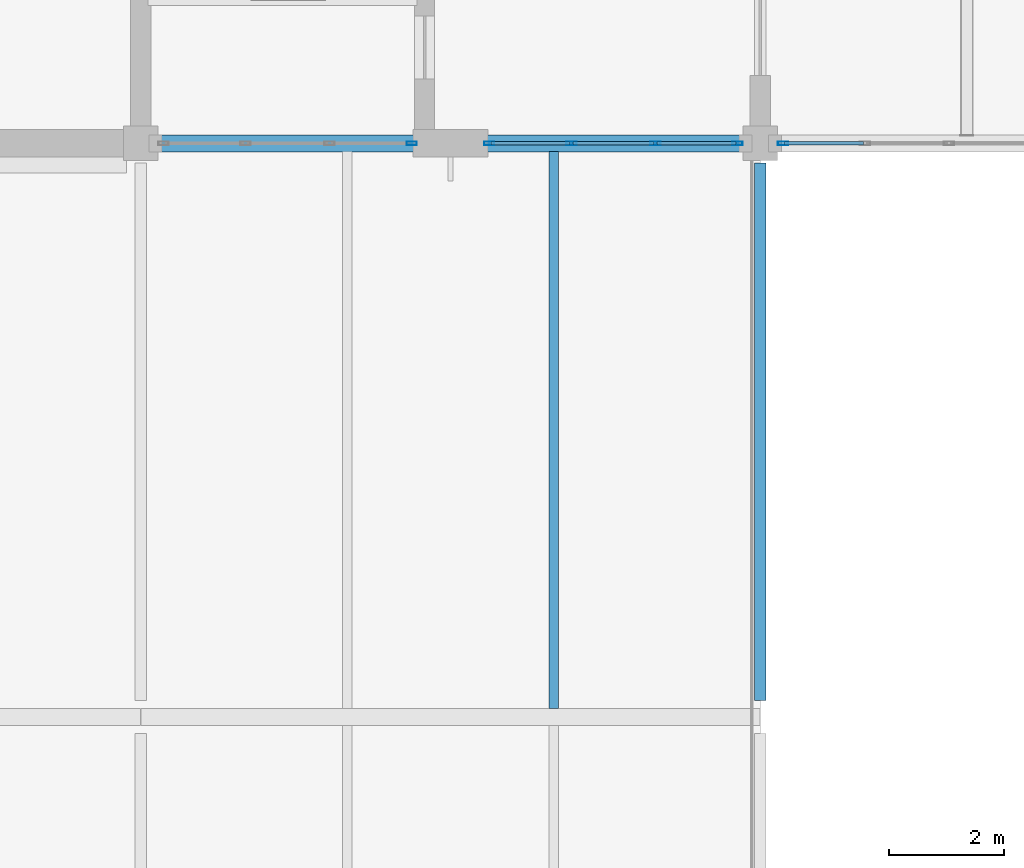
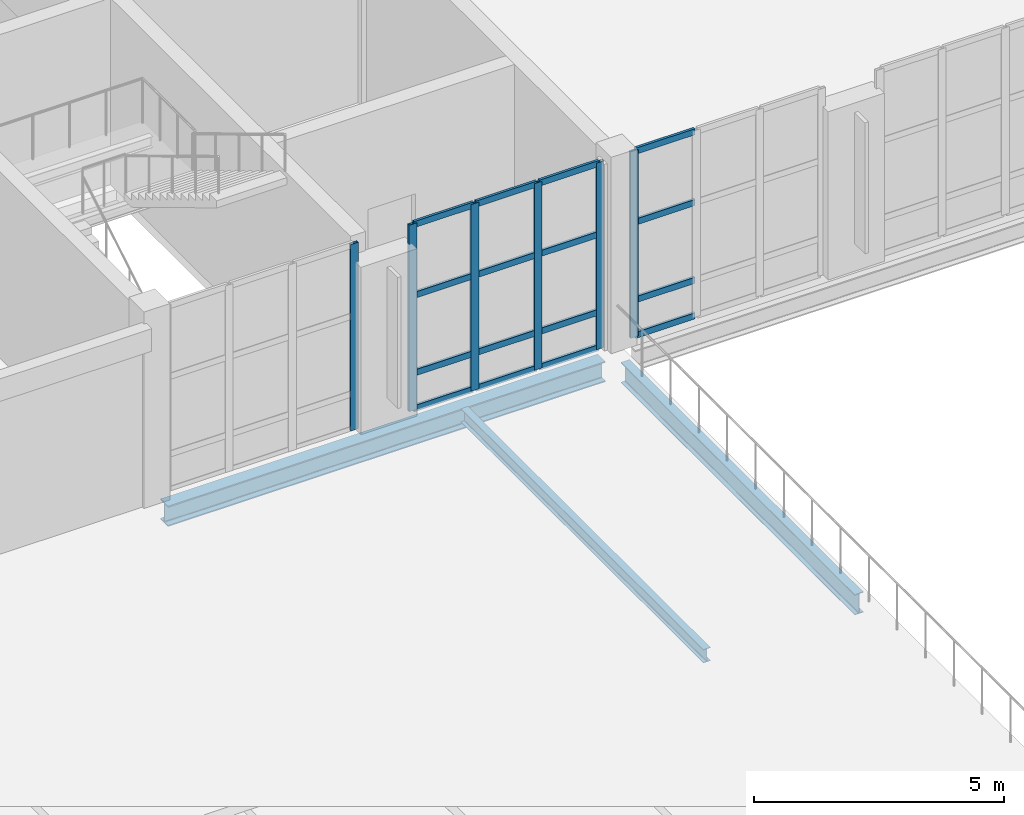
# One storey, part 22 of 100: 22 members, 3 beams, 3 elements without a shape of their own.
"""IFC4 building model written with IfcOpenShell, lengths in metres."""

from ifc_helpers import new_model, si_unit, direction, frame, origin, origin_2d, place, context, subcontext, project, spatial, hollow_rectangle, i_section, extrude, material, layer, layer_set, material_profile, profile_set, type_object, element, aggregate, save


model = new_model("IFC4")

# Units and contexts
model_context = context("Model", 3, precision=1e-05, world=origin(), true_north=direction((0.0, 1.0)))
body_context = subcontext(model_context, "Body", "Model", "MODEL_VIEW")
ifc_project = project(units=[si_unit("LENGTHUNIT", "METRE"), si_unit("AREAUNIT", "SQUARE_METRE"), si_unit("VOLUMEUNIT", "CUBIC_METRE"), si_unit("PLANEANGLEUNIT", "RADIAN"), si_unit("MASSUNIT", "GRAM", prefix="KILO")], contexts=[model_context])

# Site, building, storey
site_placement = place(None, origin())
site = spatial("IfcSite", under=ifc_project, at=site_placement, CompositionType="ELEMENT")
building_placement = place(site_placement, origin())
building = spatial("IfcBuilding", under=site, at=building_placement, Name="Tasgan Crest Museum", CompositionType="ELEMENT")
storey_placement = place(building_placement, frame((0.0, 0.0, 9.60009765625)))
storey = spatial("IfcBuildingStorey", under=building, at=storey_placement, Name="L02", CompositionType="ELEMENT", Elevation=9.60009765625)

# Beams
ifc_material_1 = material(Name="Steel S355J2", Category="steel")
ifc_material_profile_1 = material_profile(ifc_material_1, i_section(OverallWidth=0.300048828125, OverallDepth=0.5, WebThickness=0.014404296875, FlangeThickness=0.028076171875, FilletRadius=0.027099609375, at=origin_2d()), Name="HEB 500")
ifc_profile_set_1 = profile_set([ifc_material_profile_1], Name="Steel S355J2")
beam_type_1 = type_object("IfcBeamType", Name="BM-G-HEB500", PredefinedType="BEAM", material=ifc_profile_set_1)
beam_1_placement = place(storey_placement, frame((43.5458984375, 40.0, -0.510009765625), z_axis=(1.0, 0.0, 0.0), x_axis=(0.0, 1.0, 0.0)))
element("IfcBeam", 1, at=beam_1_placement, inside=storey, type_object=beam_type_1, Name="Girder L02 E 43.2-54.0", PredefinedType="BEAM", context=body_context, shape_type="SweptSolid", body=[
    extrude(i_section(OverallWidth=0.300048828125, OverallDepth=0.5, WebThickness=0.014404296875, FlangeThickness=0.028076171875, FilletRadius=0.027099609375, at=origin_2d()), origin(), (0.0, 0.0, 1.0), 10.108154296875),
])
ifc_material_2 = material(Name="Steel S355J2", Category="steel")
ifc_material_profile_2 = material_profile(ifc_material_2, i_section(OverallWidth=0.199951171875, OverallDepth=0.5, WebThickness=0.01025390625, FlangeThickness=0.01611328125, FilletRadius=0.02099609375, at=origin_2d()), Name="IPE 500")
ifc_profile_set_2 = profile_set([ifc_material_profile_2], Name="Steel S355J2")
beam_type_2 = type_object("IfcBeamType", Name="BM-G-IPE500", PredefinedType="BEAM", material=ifc_profile_set_2)
beam_2_placement = place(storey_placement, frame((54.0, 30.2900390625, -0.5), z_axis=(0.0, 1.0, 0.0), x_axis=(-1.0, 0.0, 0.0)))
element("IfcBeam", 2, at=beam_2_placement, inside=storey, type_object=beam_type_2, Name="Beam L02 6 30.0-40.0", PredefinedType="BEAM", context=body_context, shape_type="SweptSolid", body=[
    extrude(i_section(OverallWidth=0.199951171875, OverallDepth=0.5, WebThickness=0.01025390625, FlangeThickness=0.01611328125, FilletRadius=0.02099609375, at=origin_2d()), origin(), (0.0, 0.0, 1.0), 9.364990234375),
])
ifc_material_3 = material(Name="Steel S355J2", Category="steel")
ifc_material_profile_3 = material_profile(ifc_material_3, i_section(OverallWidth=0.159912109375, OverallDepth=0.330078125, WebThickness=0.007568359375, FlangeThickness=0.011474609375, FilletRadius=0.01806640625, at=origin_2d()), Name="IPE 330")
ifc_profile_set_3 = profile_set([ifc_material_profile_3], Name="Steel S355J2")
beam_type_3 = type_object("IfcBeamType", Name="BM-J-IPE330", PredefinedType="JOIST", material=ifc_profile_set_3)
beam_3_placement = place(storey_placement, frame((50.39990234375, 30.14501953125, -0.4150390625), z_axis=(0.0, 1.0, 0.0), x_axis=(-1.0, 0.0, 0.0)))
element("IfcBeam", 3, at=beam_3_placement, inside=storey, type_object=beam_type_3, Name="Secondary joist L02 X=50.4 Y=30.0-40.0", PredefinedType="JOIST", context=body_context, shape_type="SweptSolid", body=[
    extrude(i_section(OverallWidth=0.159912109375, OverallDepth=0.330078125, WebThickness=0.007568359375, FlangeThickness=0.011474609375, FilletRadius=0.01806640625, at=origin_2d()), origin(), (0.0, 0.0, 1.0), 9.7099609375),
])

# Curtain wall, member
ifc_material_4 = material(Name="Triple-Glazed Aluminium Curtain Wall", Category="aluminium")
ifc_layer_1 = layer(ifc_material_4, 0.179931640625, Name="CW-CANT-SIDE-48")
ifc_layer_set_1 = layer_set([ifc_layer_1], Name="Triple-Glazed Aluminium Curtain Wall")
curtain_wall_type_1 = type_object("IfcCurtainWallType", Name="CW-CANT-SIDE-48", PredefinedType="NOTDEFINED", material=ifc_layer_set_1)
curtain_wall_1_placement = place(storey_placement, origin())
curtain_wall_1 = element("IfcCurtainWall", 4, at=curtain_wall_1_placement, inside=storey, type_object=curtain_wall_type_1, Name="Curtain wall L02 099", PredefinedType="NOTDEFINED")
ifc_material_5 = material(Name="Anodised Aluminium", Category="aluminium")
ifc_material_profile_4 = material_profile(ifc_material_5, hollow_rectangle(XDim=0.06494140625, YDim=0.179931640625, WallThickness=0.0048828125, at=origin_2d()), Name="ALU MULLION 180x65x5")
ifc_profile_set_4 = profile_set([ifc_material_profile_4], Name="Anodised Aluminium")
member_type_1 = type_object("IfcMemberType", Name="CW-MULLION-180", PredefinedType="MULLION", material=ifc_profile_set_4)
member_1_placement = place(storey_placement, frame((47.925048828125, 40.0, 0.0), z_axis=(0.0, 0.0, 1.0), x_axis=(0.0, 1.0, 0.0)))
member_1 = element("IfcMember", 5, at=member_1_placement, type_object=member_type_1, Name="CW11 mullion 4", PredefinedType="MULLION", context=body_context, shape_type="SweptSolid", body=[
    extrude(hollow_rectangle(XDim=0.06494140625, YDim=0.179931640625, WallThickness=0.0048828125, at=origin_2d()), origin(), (0.0, 0.0, 1.0), 4.559814453125),
])
aggregate(curtain_wall_1, [member_1])

# Curtain wall, members
curtain_wall_2_placement = place(storey_placement, origin())
curtain_wall_2 = element("IfcCurtainWall", 6, at=curtain_wall_2_placement, inside=storey, type_object=curtain_wall_type_1, Name="Curtain wall L02 100", PredefinedType="NOTDEFINED")
member_2_placement = place(storey_placement, frame((49.27490234375, 40.0, 0.0), z_axis=(0.0, 0.0, 1.0), x_axis=(0.0, 1.0, 0.0)))
member_2 = element("IfcMember", 7, at=member_2_placement, type_object=member_type_1, Name="CW11 mullion 1", PredefinedType="MULLION", context=body_context, shape_type="SweptSolid", body=[
    extrude(hollow_rectangle(XDim=0.06494140625, YDim=0.179931640625, WallThickness=0.0048828125, at=origin_2d()), origin(), (0.0, 0.0, 1.0), 4.559814453125),
])
member_3_placement = place(storey_placement, frame((50.708251953125, 40.0, 0.0), z_axis=(0.0, 0.0, 1.0), x_axis=(0.0, 1.0, 0.0)))
member_3 = element("IfcMember", 8, at=member_3_placement, type_object=member_type_1, Name="CW11 mullion 2", PredefinedType="MULLION", context=body_context, shape_type="SweptSolid", body=[
    extrude(hollow_rectangle(XDim=0.06494140625, YDim=0.179931640625, WallThickness=0.0048828125, at=origin_2d()), origin(), (0.0, 0.0, 1.0), 4.559814453125),
])
member_4_placement = place(storey_placement, frame((52.171630859375, 40.0, 0.0), z_axis=(0.0, 0.0, 1.0), x_axis=(0.0, 1.0, 0.0)))
member_4 = element("IfcMember", 9, at=member_4_placement, type_object=member_type_1, Name="CW11 mullion 3", PredefinedType="MULLION", context=body_context, shape_type="SweptSolid", body=[
    extrude(hollow_rectangle(XDim=0.06494140625, YDim=0.179931640625, WallThickness=0.0048828125, at=origin_2d()), origin(), (0.0, 0.0, 1.0), 4.559814453125),
])
member_5_placement = place(storey_placement, frame((53.60498046875, 40.0, 0.0), z_axis=(0.0, 0.0, 1.0), x_axis=(0.0, 1.0, 0.0)))
member_5 = element("IfcMember", 10, at=member_5_placement, type_object=member_type_1, Name="CW11 mullion 4", PredefinedType="MULLION", context=body_context, shape_type="SweptSolid", body=[
    extrude(hollow_rectangle(XDim=0.06494140625, YDim=0.179931640625, WallThickness=0.0048828125, at=origin_2d()), origin(), (0.0, 0.0, 1.0), 4.559814453125),
])

# Curtain wall, member
ifc_material_6 = material(Name="Triple-Glazed Aluminium Curtain Wall", Category="aluminium")
ifc_layer_2 = layer(ifc_material_6, 0.179931640625, Name="CW-DRUM-X-48")
ifc_layer_set_2 = layer_set([ifc_layer_2], Name="Triple-Glazed Aluminium Curtain Wall")
curtain_wall_type_2 = type_object("IfcCurtainWallType", Name="CW-DRUM-X-48", PredefinedType="NOTDEFINED", material=ifc_layer_set_2)
curtain_wall_3_placement = place(storey_placement, origin())
curtain_wall_3 = element("IfcCurtainWall", 11, at=curtain_wall_3_placement, inside=storey, type_object=curtain_wall_type_2, Name="Curtain wall L02 101", PredefinedType="NOTDEFINED")
member_6_placement = place(storey_placement, frame((54.39501953125, 40.0, 0.0), z_axis=(0.0, 0.0, 1.0), x_axis=(0.0, 1.0, 0.0)))
member_6 = element("IfcMember", 12, at=member_6_placement, type_object=member_type_1, Name="CW03 mullion 1", PredefinedType="MULLION", context=body_context, shape_type="SweptSolid", body=[
    extrude(hollow_rectangle(XDim=0.06494140625, YDim=0.179931640625, WallThickness=0.0048828125, at=origin_2d()), origin(), (0.0, 0.0, 1.0), 4.559814453125),
])

# Member
ifc_material_7 = material(Name="Anodised Aluminium", Category="aluminium")
ifc_material_profile_5 = material_profile(ifc_material_7, hollow_rectangle(XDim=0.06005859375, YDim=0.14990234375, WallThickness=0.0048828125, at=origin_2d()), Name="ALU TRANSOM 150x60x5")
ifc_profile_set_5 = profile_set([ifc_material_profile_5], Name="Anodised Aluminium")
member_type_2 = type_object("IfcMemberType", Name="CW-TRANSOM-150", PredefinedType="USERDEFINED", material=ifc_profile_set_5)
member_7_placement = place(storey_placement, frame((49.304931640625, 40.0, 0.02978515625), z_axis=(1.0, 0.0, 0.0), x_axis=(0.0, 1.0, 0.0)))
member_7 = element("IfcMember", 13, at=member_7_placement, type_object=member_type_2, Name="CW11 transom 1.1", ObjectType="TRANSOM", PredefinedType="USERDEFINED", context=body_context, shape_type="SweptSolid", body=[
    extrude(hollow_rectangle(XDim=0.06005859375, YDim=0.14990234375, WallThickness=0.0048828125, at=origin_2d()), origin(), (0.0, 0.0, 1.0), 1.373291015625),
])

member_8_placement = place(storey_placement, frame((49.304931640625, 40.0, 0.89990234375), z_axis=(1.0, 0.0, 0.0), x_axis=(0.0, 1.0, 0.0)))
member_8 = element("IfcMember", 14, at=member_8_placement, type_object=member_type_2, Name="CW11 transom 1.2", ObjectType="TRANSOM", PredefinedType="USERDEFINED", context=body_context, shape_type="SweptSolid", body=[
    extrude(hollow_rectangle(XDim=0.06005859375, YDim=0.14990234375, WallThickness=0.0048828125, at=origin_2d()), origin(), (0.0, 0.0, 1.0), 1.373291015625),
])

member_9_placement = place(storey_placement, frame((49.304931640625, 40.0, 2.7998046875), z_axis=(1.0, 0.0, 0.0), x_axis=(0.0, 1.0, 0.0)))
member_9 = element("IfcMember", 15, at=member_9_placement, type_object=member_type_2, Name="CW11 transom 1.3", ObjectType="TRANSOM", PredefinedType="USERDEFINED", context=body_context, shape_type="SweptSolid", body=[
    extrude(hollow_rectangle(XDim=0.06005859375, YDim=0.14990234375, WallThickness=0.0048828125, at=origin_2d()), origin(), (0.0, 0.0, 1.0), 1.373291015625),
])

member_10_placement = place(storey_placement, frame((49.304931640625, 40.0, 4.52978515625), z_axis=(1.0, 0.0, 0.0), x_axis=(0.0, 1.0, 0.0)))
member_10 = element("IfcMember", 16, at=member_10_placement, type_object=member_type_2, Name="CW11 transom 1.4", ObjectType="TRANSOM", PredefinedType="USERDEFINED", context=body_context, shape_type="SweptSolid", body=[
    extrude(hollow_rectangle(XDim=0.06005859375, YDim=0.14990234375, WallThickness=0.0048828125, at=origin_2d()), origin(), (0.0, 0.0, 1.0), 1.373291015625),
])

member_11_placement = place(storey_placement, frame((50.73828125, 40.0, 0.02978515625), z_axis=(1.0, 0.0, 0.0), x_axis=(0.0, 1.0, 0.0)))
member_11 = element("IfcMember", 17, at=member_11_placement, type_object=member_type_2, Name="CW11 transom 2.1", ObjectType="TRANSOM", PredefinedType="USERDEFINED", context=body_context, shape_type="SweptSolid", body=[
    extrude(hollow_rectangle(XDim=0.06005859375, YDim=0.14990234375, WallThickness=0.0048828125, at=origin_2d()), origin(), (0.0, 0.0, 1.0), 1.4033203125),
])

member_12_placement = place(storey_placement, frame((50.73828125, 40.0, 0.89990234375), z_axis=(1.0, 0.0, 0.0), x_axis=(0.0, 1.0, 0.0)))
member_12 = element("IfcMember", 18, at=member_12_placement, type_object=member_type_2, Name="CW11 transom 2.2", ObjectType="TRANSOM", PredefinedType="USERDEFINED", context=body_context, shape_type="SweptSolid", body=[
    extrude(hollow_rectangle(XDim=0.06005859375, YDim=0.14990234375, WallThickness=0.0048828125, at=origin_2d()), origin(), (0.0, 0.0, 1.0), 1.4033203125),
])

member_13_placement = place(storey_placement, frame((50.73828125, 40.0, 2.7998046875), z_axis=(1.0, 0.0, 0.0), x_axis=(0.0, 1.0, 0.0)))
member_13 = element("IfcMember", 19, at=member_13_placement, type_object=member_type_2, Name="CW11 transom 2.3", ObjectType="TRANSOM", PredefinedType="USERDEFINED", context=body_context, shape_type="SweptSolid", body=[
    extrude(hollow_rectangle(XDim=0.06005859375, YDim=0.14990234375, WallThickness=0.0048828125, at=origin_2d()), origin(), (0.0, 0.0, 1.0), 1.4033203125),
])

member_14_placement = place(storey_placement, frame((50.73828125, 40.0, 4.52978515625), z_axis=(1.0, 0.0, 0.0), x_axis=(0.0, 1.0, 0.0)))
member_14 = element("IfcMember", 20, at=member_14_placement, type_object=member_type_2, Name="CW11 transom 2.4", ObjectType="TRANSOM", PredefinedType="USERDEFINED", context=body_context, shape_type="SweptSolid", body=[
    extrude(hollow_rectangle(XDim=0.06005859375, YDim=0.14990234375, WallThickness=0.0048828125, at=origin_2d()), origin(), (0.0, 0.0, 1.0), 1.4033203125),
])

member_15_placement = place(storey_placement, frame((52.20166015625, 40.0, 0.02978515625), z_axis=(1.0, 0.0, 0.0), x_axis=(0.0, 1.0, 0.0)))
member_15 = element("IfcMember", 21, at=member_15_placement, type_object=member_type_2, Name="CW11 transom 3.1", ObjectType="TRANSOM", PredefinedType="USERDEFINED", context=body_context, shape_type="SweptSolid", body=[
    extrude(hollow_rectangle(XDim=0.06005859375, YDim=0.14990234375, WallThickness=0.0048828125, at=origin_2d()), origin(), (0.0, 0.0, 1.0), 1.373291015625),
])

member_16_placement = place(storey_placement, frame((52.20166015625, 40.0, 0.89990234375), z_axis=(1.0, 0.0, 0.0), x_axis=(0.0, 1.0, 0.0)))
member_16 = element("IfcMember", 22, at=member_16_placement, type_object=member_type_2, Name="CW11 transom 3.2", ObjectType="TRANSOM", PredefinedType="USERDEFINED", context=body_context, shape_type="SweptSolid", body=[
    extrude(hollow_rectangle(XDim=0.06005859375, YDim=0.14990234375, WallThickness=0.0048828125, at=origin_2d()), origin(), (0.0, 0.0, 1.0), 1.373291015625),
])

member_17_placement = place(storey_placement, frame((52.20166015625, 40.0, 2.7998046875), z_axis=(1.0, 0.0, 0.0), x_axis=(0.0, 1.0, 0.0)))
member_17 = element("IfcMember", 23, at=member_17_placement, type_object=member_type_2, Name="CW11 transom 3.3", ObjectType="TRANSOM", PredefinedType="USERDEFINED", context=body_context, shape_type="SweptSolid", body=[
    extrude(hollow_rectangle(XDim=0.06005859375, YDim=0.14990234375, WallThickness=0.0048828125, at=origin_2d()), origin(), (0.0, 0.0, 1.0), 1.373291015625),
])

member_18_placement = place(storey_placement, frame((52.20166015625, 40.0, 4.52978515625), z_axis=(1.0, 0.0, 0.0), x_axis=(0.0, 1.0, 0.0)))
member_18 = element("IfcMember", 24, at=member_18_placement, type_object=member_type_2, Name="CW11 transom 3.4", ObjectType="TRANSOM", PredefinedType="USERDEFINED", context=body_context, shape_type="SweptSolid", body=[
    extrude(hollow_rectangle(XDim=0.06005859375, YDim=0.14990234375, WallThickness=0.0048828125, at=origin_2d()), origin(), (0.0, 0.0, 1.0), 1.373291015625),
])

aggregate(curtain_wall_2, [member_2, member_3, member_4, member_5, member_7, member_8, member_9, member_10, member_11, member_12, member_13, member_14, member_15, member_16, member_17, member_18])

member_19_placement = place(storey_placement, frame((54.425048828125, 40.0, 0.02978515625), z_axis=(1.0, 0.0, 0.0), x_axis=(0.0, 1.0, 0.0)))
member_19 = element("IfcMember", 25, at=member_19_placement, type_object=member_type_2, Name="CW03 transom 1.1", ObjectType="TRANSOM", PredefinedType="USERDEFINED", context=body_context, shape_type="SweptSolid", body=[
    extrude(hollow_rectangle(XDim=0.06005859375, YDim=0.14990234375, WallThickness=0.0048828125, at=origin_2d()), origin(), (0.0, 0.0, 1.0), 1.373291015625),
])

member_20_placement = place(storey_placement, frame((54.425048828125, 40.0, 0.89990234375), z_axis=(1.0, 0.0, 0.0), x_axis=(0.0, 1.0, 0.0)))
member_20 = element("IfcMember", 26, at=member_20_placement, type_object=member_type_2, Name="CW03 transom 1.2", ObjectType="TRANSOM", PredefinedType="USERDEFINED", context=body_context, shape_type="SweptSolid", body=[
    extrude(hollow_rectangle(XDim=0.06005859375, YDim=0.14990234375, WallThickness=0.0048828125, at=origin_2d()), origin(), (0.0, 0.0, 1.0), 1.373291015625),
])

member_21_placement = place(storey_placement, frame((54.425048828125, 40.0, 2.7998046875), z_axis=(1.0, 0.0, 0.0), x_axis=(0.0, 1.0, 0.0)))
member_21 = element("IfcMember", 27, at=member_21_placement, type_object=member_type_2, Name="CW03 transom 1.3", ObjectType="TRANSOM", PredefinedType="USERDEFINED", context=body_context, shape_type="SweptSolid", body=[
    extrude(hollow_rectangle(XDim=0.06005859375, YDim=0.14990234375, WallThickness=0.0048828125, at=origin_2d()), origin(), (0.0, 0.0, 1.0), 1.373291015625),
])

member_22_placement = place(storey_placement, frame((54.425048828125, 40.0, 4.52978515625), z_axis=(1.0, 0.0, 0.0), x_axis=(0.0, 1.0, 0.0)))
member_22 = element("IfcMember", 28, at=member_22_placement, type_object=member_type_2, Name="CW03 transom 1.4", ObjectType="TRANSOM", PredefinedType="USERDEFINED", context=body_context, shape_type="SweptSolid", body=[
    extrude(hollow_rectangle(XDim=0.06005859375, YDim=0.14990234375, WallThickness=0.0048828125, at=origin_2d()), origin(), (0.0, 0.0, 1.0), 1.373291015625),
])

aggregate(curtain_wall_3, [member_6, member_19, member_20, member_21, member_22])

save(model, "model.ifc")
